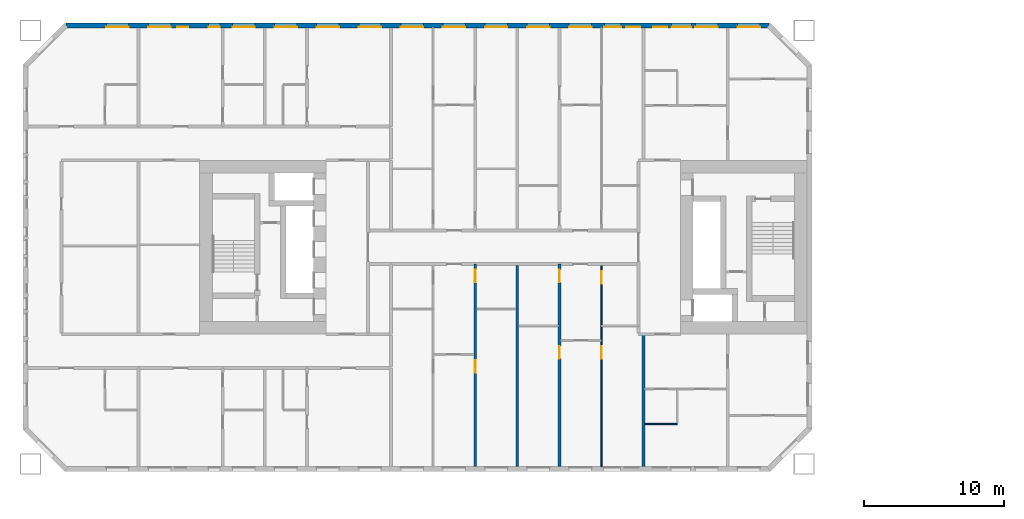
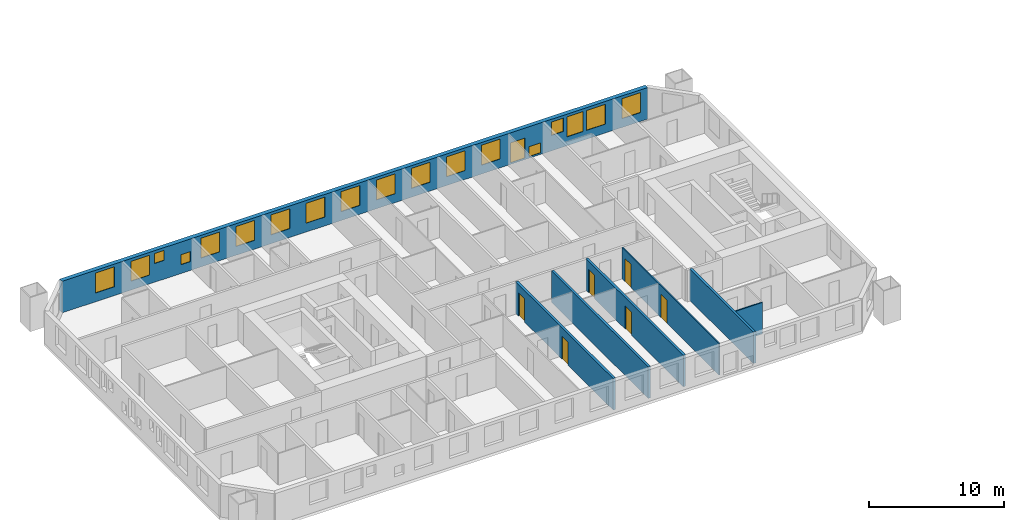
# One storey, part 6 of 17: 19 windows, 7 walls, 6 doors, 25 openings.
"""IFC4 building model written with IfcOpenShell, lengths in metres."""

from ifc_helpers import new_model, si_unit, direction, frame, frame_2d, origin, place, context, subcontext, project, spatial, rectangle, extrude, material, layer, layer_set, type_object, element, fill, save


model = new_model("IFC4")

# Units and contexts
model_context = context("Model", 3, precision=1e-05, world=origin(), true_north=direction((0.0, 1.0)))
body_context = subcontext(model_context, "Body", "Model", "MODEL_VIEW")
ifc_project = project(units=[si_unit("LENGTHUNIT", "METRE"), si_unit("AREAUNIT", "SQUARE_METRE"), si_unit("VOLUMEUNIT", "CUBIC_METRE"), si_unit("PLANEANGLEUNIT", "RADIAN"), si_unit("MASSUNIT", "GRAM", prefix="KILO")], contexts=[model_context])

# Site, building, storey
site_placement = place(None, origin())
site = spatial("IfcSite", under=ifc_project, at=site_placement, CompositionType="ELEMENT")
building_placement = place(site_placement, origin())
building = spatial("IfcBuilding", under=site, at=building_placement, Name="Tuart Gate Housing", CompositionType="ELEMENT")
storey_placement = place(building_placement, frame((0.0, 0.0, 25.699951171875)))
storey = spatial("IfcBuildingStorey", under=building, at=storey_placement, Name="L06", CompositionType="ELEMENT", Elevation=25.699951171875)

# Wall, openings, windows
ifc_material_1 = material(Name="Brick", Category="masonry")
ifc_layer_1 = layer(ifc_material_1, 0.360107421875)
ifc_layer_set_1 = layer_set([ifc_layer_1], Name="Brick pier and spandrel wall 360")
wall_type_1 = type_object("IfcWallType", Name="Brick pier and spandrel wall 360", PredefinedType="STANDARD", material=ifc_layer_set_1)
wall_1_placement = place(storey_placement, frame((72.92529296875, 85.820068359375, 0.0), z_axis=(0.0, 0.0, 1.0), x_axis=(-1.0, 0.0, 0.0)))
wall_1 = element("IfcWall", 1, at=wall_1_placement, inside=storey, type_object=wall_type_1, Name="External wall A-N L06", PredefinedType="STANDARD", context=body_context, shape_type="SweptSolid", body=[
    extrude(rectangle(XDim=50.100830078125, YDim=0.360107421875, at=frame_2d((25.05029296875, 0.0))), origin(), (0.0, 0.0, 1.0), 2.85009765625),
])
opening_1_placement = place(wall_1_placement, frame((0.62548828125, 0.0, 0.800048828125)))
opening_1 = element("IfcOpeningElement", 2, at=opening_1_placement, cuts=wall_1, Name="Opening W1", PredefinedType="OPENING", context=body_context, shape_type="SweptSolid", body=[
    extrude(rectangle(XDim=1.60009765625, YDim=1.800048828125, at=frame_2d((0.800048828125, 0.89990234375))), frame((0.0, 0.18994140625, 0.0), z_axis=(0.0, -1.0, 0.0), x_axis=(1.0, 0.0, 0.0)), (0.0, 0.0, 1.0), 0.380126953125),
])
opening_2_placement = place(wall_1_placement, frame((3.62548828125, 0.0, 0.800048828125)))
opening_2 = element("IfcOpeningElement", 3, at=opening_2_placement, cuts=wall_1, Name="Opening W1", PredefinedType="OPENING", context=body_context, shape_type="SweptSolid", body=[
    extrude(rectangle(XDim=1.60009765625, YDim=1.800048828125, at=frame_2d((0.800048828125, 0.89990234375))), frame((0.0, 0.18994140625, 0.0), z_axis=(0.0, -1.0, 0.0), x_axis=(1.0, 0.0, 0.0)), (0.0, 0.0, 1.0), 0.380126953125),
])
opening_3_placement = place(wall_1_placement, frame((5.525390625, 0.0, 0.800048828125)))
opening_3 = element("IfcOpeningElement", 4, at=opening_3_placement, cuts=wall_1, Name="Opening W1A", PredefinedType="OPENING", context=body_context, shape_type="SweptSolid", body=[
    extrude(rectangle(XDim=1.39990234375, YDim=1.800048828125, at=frame_2d((0.699951171875, 0.89990234375))), frame((0.0, 0.18994140625, 0.0), z_axis=(0.0, -1.0, 0.0), x_axis=(1.0, 0.0, 0.0)), (0.0, 0.0, 1.0), 0.380126953125),
])
opening_4_placement = place(wall_1_placement, frame((9.17529296875, 0.0, 0.14990234375)))
opening_4 = element("IfcOpeningElement", 5, at=opening_4_placement, cuts=wall_1, Name="Opening W1U", PredefinedType="OPENING", context=body_context, shape_type="SweptSolid", body=[
    extrude(rectangle(XDim=1.0, YDim=0.89990234375, at=frame_2d((0.5, 0.449951171875))), frame((0.0, 0.18994140625, 0.0), z_axis=(0.0, -1.0, 0.0), x_axis=(1.0, 0.0, 0.0)), (0.0, 0.0, 1.0), 0.380126953125),
])
opening_5_placement = place(wall_1_placement, frame((12.62548828125, 0.0, 0.800048828125)))
opening_5 = element("IfcOpeningElement", 6, at=opening_5_placement, cuts=wall_1, Name="Opening W1", PredefinedType="OPENING", context=body_context, shape_type="SweptSolid", body=[
    extrude(rectangle(XDim=1.60009765625, YDim=1.800048828125, at=frame_2d((0.800048828125, 0.89990234375))), frame((0.0, 0.18994140625, 0.0), z_axis=(0.0, -1.0, 0.0), x_axis=(1.0, 0.0, 0.0)), (0.0, 0.0, 1.0), 0.380126953125),
])
opening_6_placement = place(wall_1_placement, frame((15.62548828125, 0.0, 0.800048828125)))
opening_6 = element("IfcOpeningElement", 7, at=opening_6_placement, cuts=wall_1, Name="Opening W1", PredefinedType="OPENING", context=body_context, shape_type="SweptSolid", body=[
    extrude(rectangle(XDim=1.60009765625, YDim=1.800048828125, at=frame_2d((0.800048828125, 0.89990234375))), frame((0.0, 0.18994140625, 0.0), z_axis=(0.0, -1.0, 0.0), x_axis=(1.0, 0.0, 0.0)), (0.0, 0.0, 1.0), 0.380126953125),
])
opening_7_placement = place(wall_1_placement, frame((18.62548828125, 0.0, 0.800048828125)))
opening_7 = element("IfcOpeningElement", 8, at=opening_7_placement, cuts=wall_1, Name="Opening W1", PredefinedType="OPENING", context=body_context, shape_type="SweptSolid", body=[
    extrude(rectangle(XDim=1.60009765625, YDim=1.800048828125, at=frame_2d((0.800048828125, 0.89990234375))), frame((0.0, 0.18994140625, 0.0), z_axis=(0.0, -1.0, 0.0), x_axis=(1.0, 0.0, 0.0)), (0.0, 0.0, 1.0), 0.380126953125),
])
opening_8_placement = place(wall_1_placement, frame((21.62548828125, 0.0, 0.800048828125)))
opening_8 = element("IfcOpeningElement", 9, at=opening_8_placement, cuts=wall_1, Name="Opening W1", PredefinedType="OPENING", context=body_context, shape_type="SweptSolid", body=[
    extrude(rectangle(XDim=1.60009765625, YDim=1.800048828125, at=frame_2d((0.800048828125, 0.89990234375))), frame((0.0, 0.18994140625, 0.0), z_axis=(0.0, -1.0, 0.0), x_axis=(1.0, 0.0, 0.0)), (0.0, 0.0, 1.0), 0.380126953125),
])
opening_9_placement = place(wall_1_placement, frame((24.62548828125, 0.0, 0.800048828125)))
opening_9 = element("IfcOpeningElement", 10, at=opening_9_placement, cuts=wall_1, Name="Opening W1", PredefinedType="OPENING", context=body_context, shape_type="SweptSolid", body=[
    extrude(rectangle(XDim=1.60009765625, YDim=1.800048828125, at=frame_2d((0.800048828125, 0.89990234375))), frame((0.0, 0.18994140625, 0.0), z_axis=(0.0, -1.0, 0.0), x_axis=(1.0, 0.0, 0.0)), (0.0, 0.0, 1.0), 0.380126953125),
])
opening_10_placement = place(wall_1_placement, frame((27.62548828125, 0.0, 0.800048828125)))
opening_10 = element("IfcOpeningElement", 11, at=opening_10_placement, cuts=wall_1, Name="Opening W1", PredefinedType="OPENING", context=body_context, shape_type="SweptSolid", body=[
    extrude(rectangle(XDim=1.60009765625, YDim=1.800048828125, at=frame_2d((0.800048828125, 0.89990234375))), frame((0.0, 0.18994140625, 0.0), z_axis=(0.0, -1.0, 0.0), x_axis=(1.0, 0.0, 0.0)), (0.0, 0.0, 1.0), 0.380126953125),
])
opening_11_placement = place(wall_1_placement, frame((30.62548828125, 0.0, 0.800048828125)))
opening_11 = element("IfcOpeningElement", 12, at=opening_11_placement, cuts=wall_1, Name="Opening W1", PredefinedType="OPENING", context=body_context, shape_type="SweptSolid", body=[
    extrude(rectangle(XDim=1.60009765625, YDim=1.800048828125, at=frame_2d((0.800048828125, 0.89990234375))), frame((0.0, 0.18994140625, 0.0), z_axis=(0.0, -1.0, 0.0), x_axis=(1.0, 0.0, 0.0)), (0.0, 0.0, 1.0), 0.380126953125),
])
opening_12_placement = place(wall_1_placement, frame((33.62548828125, 0.0, 0.800048828125)))
opening_12 = element("IfcOpeningElement", 13, at=opening_12_placement, cuts=wall_1, Name="Opening W1", PredefinedType="OPENING", context=body_context, shape_type="SweptSolid", body=[
    extrude(rectangle(XDim=1.60009765625, YDim=1.800048828125, at=frame_2d((0.800048828125, 0.89990234375))), frame((0.0, 0.18994140625, 0.0), z_axis=(0.0, -1.0, 0.0), x_axis=(1.0, 0.0, 0.0)), (0.0, 0.0, 1.0), 0.380126953125),
])
opening_13_placement = place(wall_1_placement, frame((36.62548828125, 0.0, 0.800048828125)))
opening_13 = element("IfcOpeningElement", 14, at=opening_13_placement, cuts=wall_1, Name="Opening W1", PredefinedType="OPENING", context=body_context, shape_type="SweptSolid", body=[
    extrude(rectangle(XDim=1.60009765625, YDim=1.800048828125, at=frame_2d((0.800048828125, 0.89990234375))), frame((0.0, 0.18994140625, 0.0), z_axis=(0.0, -1.0, 0.0), x_axis=(1.0, 0.0, 0.0)), (0.0, 0.0, 1.0), 0.380126953125),
])
opening_14_placement = place(wall_1_placement, frame((39.12548828125, 0.0, 0.800048828125)))
opening_14 = element("IfcOpeningElement", 15, at=opening_14_placement, cuts=wall_1, Name="Opening W1V", PredefinedType="OPENING", context=body_context, shape_type="SweptSolid", body=[
    extrude(rectangle(XDim=0.800048828125, YDim=0.89990234375, at=frame_2d((0.39990234375, 0.449951171875))), frame((0.0, 0.18994140625, 0.0), z_axis=(0.0, -1.0, 0.0), x_axis=(1.0, 0.0, 0.0)), (0.0, 0.0, 1.0), 0.380126953125),
])
opening_15_placement = place(wall_1_placement, frame((42.62548828125, 0.0, 0.800048828125)))
opening_15 = element("IfcOpeningElement", 16, at=opening_15_placement, cuts=wall_1, Name="Opening W1", PredefinedType="OPENING", context=body_context, shape_type="SweptSolid", body=[
    extrude(rectangle(XDim=1.60009765625, YDim=1.800048828125, at=frame_2d((0.800048828125, 0.89990234375))), frame((0.0, 0.18994140625, 0.0), z_axis=(0.0, -1.0, 0.0), x_axis=(1.0, 0.0, 0.0)), (0.0, 0.0, 1.0), 0.380126953125),
])
opening_16_placement = place(wall_1_placement, frame((45.62548828125, 0.0, 0.800048828125)))
opening_16 = element("IfcOpeningElement", 17, at=opening_16_placement, cuts=wall_1, Name="Opening W1", PredefinedType="OPENING", context=body_context, shape_type="SweptSolid", body=[
    extrude(rectangle(XDim=1.60009765625, YDim=1.800048828125, at=frame_2d((0.800048828125, 0.89990234375))), frame((0.0, 0.18994140625, 0.0), z_axis=(0.0, -1.0, 0.0), x_axis=(1.0, 0.0, 0.0)), (0.0, 0.0, 1.0), 0.380126953125),
])
opening_17_placement = place(wall_1_placement, frame((7.225341796875, 0.0, 1.39990234375)))
opening_17 = element("IfcOpeningElement", 18, at=opening_17_placement, cuts=wall_1, Name="Opening W1O", PredefinedType="OPENING", context=body_context, shape_type="SweptSolid", body=[
    extrude(rectangle(XDim=1.0, YDim=1.199951171875, at=frame_2d((0.5, 0.60009765625))), frame((0.0, 0.18994140625, 0.0), z_axis=(0.0, -1.0, 0.0), x_axis=(1.0, 0.0, 0.0)), (0.0, 0.0, 1.0), 0.380126953125),
])
opening_18_placement = place(wall_1_placement, frame((10.525390625, 0.0, 0.14990234375)))
opening_18 = element("IfcOpeningElement", 19, at=opening_18_placement, cuts=wall_1, Name="Opening W1B", PredefinedType="OPENING", context=body_context, shape_type="SweptSolid", body=[
    extrude(rectangle(XDim=1.199951171875, YDim=1.800048828125, at=frame_2d((0.60009765625, 0.89990234375))), frame((0.0, 0.18994140625, 0.0), z_axis=(0.0, -1.0, 0.0), x_axis=(1.0, 0.0, 0.0)), (0.0, 0.0, 1.0), 0.380126953125),
])
opening_19_placement = place(wall_1_placement, frame((41.37548828125, 0.0, 1.699951171875)))
opening_19 = element("IfcOpeningElement", 20, at=opening_19_placement, cuts=wall_1, Name="Opening W1V", PredefinedType="OPENING", context=body_context, shape_type="SweptSolid", body=[
    extrude(rectangle(XDim=0.800048828125, YDim=0.89990234375, at=frame_2d((0.39990234375, 0.449951171875))), frame((0.0, 0.18994140625, 0.0), z_axis=(0.0, -1.0, 0.0), x_axis=(1.0, 0.0, 0.0)), (0.0, 0.0, 1.0), 0.380126953125),
])
ifc_material_2 = material(Name="Aluminium frame with clear glass", Category="aluminium")
window_type_1 = type_object("IfcWindowType", Name="Punched window 1000 x 1200", PartitioningType="SINGLE_PANEL", PredefinedType="WINDOW", material=ifc_material_2)
window_1_placement = place(opening_17_placement, origin())
window_1 = element("IfcWindow", 21, at=window_1_placement, inside=storey, type_object=window_type_1, Name="Window W1O", OverallHeight=1.199951171875, OverallWidth=1.0, PartitioningType="SINGLE_PANEL", PredefinedType="WINDOW", context=body_context, shape_type="SweptSolid", body=[
    extrude(rectangle(XDim=1.0, YDim=1.199951171875, at=frame_2d((0.5, 0.60009765625))), frame((0.0, 0.150146484375, 0.0), z_axis=(0.0, -1.0, 0.0), x_axis=(1.0, 0.0, 0.0)), (0.0, 0.0, 1.0), 0.06005859375),
])
fill(opening_17, window_1)
ifc_material_3 = material(Name="Aluminium frame with clear glass", Category="aluminium")
window_type_2 = type_object("IfcWindowType", Name="Punched window 1000 x 900", PartitioningType="SINGLE_PANEL", PredefinedType="WINDOW", material=ifc_material_3)
window_2_placement = place(opening_4_placement, origin())
window_2 = element("IfcWindow", 22, at=window_2_placement, inside=storey, type_object=window_type_2, Name="Window W1U", OverallHeight=0.89990234375, OverallWidth=1.0, PartitioningType="SINGLE_PANEL", PredefinedType="WINDOW", context=body_context, shape_type="SweptSolid", body=[
    extrude(rectangle(XDim=1.0, YDim=0.89990234375, at=frame_2d((0.5, 0.449951171875))), frame((0.0, 0.150146484375, 0.0), z_axis=(0.0, -1.0, 0.0), x_axis=(1.0, 0.0, 0.0)), (0.0, 0.0, 1.0), 0.06005859375),
])
fill(opening_4, window_2)
ifc_material_4 = material(Name="Aluminium frame with clear glass", Category="aluminium")
window_type_3 = type_object("IfcWindowType", Name="Punched window 1200 x 1800", PartitioningType="SINGLE_PANEL", PredefinedType="WINDOW", material=ifc_material_4)
window_3_placement = place(opening_18_placement, origin())
window_3 = element("IfcWindow", 23, at=window_3_placement, inside=storey, type_object=window_type_3, Name="Window W1B", OverallHeight=1.800048828125, OverallWidth=1.199951171875, PartitioningType="SINGLE_PANEL", PredefinedType="WINDOW", context=body_context, shape_type="SweptSolid", body=[
    extrude(rectangle(XDim=1.199951171875, YDim=1.800048828125, at=frame_2d((0.60009765625, 0.89990234375))), frame((0.0, 0.150146484375, 0.0), z_axis=(0.0, -1.0, 0.0), x_axis=(1.0, 0.0, 0.0)), (0.0, 0.0, 1.0), 0.06005859375),
])
fill(opening_18, window_3)
ifc_material_5 = material(Name="Aluminium frame with clear glass", Category="aluminium")
window_type_4 = type_object("IfcWindowType", Name="Punched window 1400 x 1800", PartitioningType="SINGLE_PANEL", PredefinedType="WINDOW", material=ifc_material_5)
window_4_placement = place(opening_3_placement, origin())
window_4 = element("IfcWindow", 24, at=window_4_placement, inside=storey, type_object=window_type_4, Name="Window W1A", OverallHeight=1.800048828125, OverallWidth=1.39990234375, PartitioningType="SINGLE_PANEL", PredefinedType="WINDOW", context=body_context, shape_type="SweptSolid", body=[
    extrude(rectangle(XDim=1.39990234375, YDim=1.800048828125, at=frame_2d((0.699951171875, 0.89990234375))), frame((0.0, 0.150146484375, 0.0), z_axis=(0.0, -1.0, 0.0), x_axis=(1.0, 0.0, 0.0)), (0.0, 0.0, 1.0), 0.06005859375),
])
fill(opening_3, window_4)
ifc_material_6 = material(Name="Aluminium frame with clear glass", Category="aluminium")
window_type_5 = type_object("IfcWindowType", Name="Punched window 1600 x 1800", PartitioningType="SINGLE_PANEL", PredefinedType="WINDOW", material=ifc_material_6)
window_5_placement = place(opening_1_placement, origin())
window_5 = element("IfcWindow", 25, at=window_5_placement, inside=storey, type_object=window_type_5, Name="Window W1", OverallHeight=1.800048828125, OverallWidth=1.60009765625, PartitioningType="SINGLE_PANEL", PredefinedType="WINDOW", context=body_context, shape_type="SweptSolid", body=[
    extrude(rectangle(XDim=1.60009765625, YDim=1.800048828125, at=frame_2d((0.800048828125, 0.89990234375))), frame((0.0, 0.150146484375, 0.0), z_axis=(0.0, -1.0, 0.0), x_axis=(1.0, 0.0, 0.0)), (0.0, 0.0, 1.0), 0.06005859375),
])
fill(opening_1, window_5)
window_6_placement = place(opening_2_placement, origin())
window_6 = element("IfcWindow", 26, at=window_6_placement, inside=storey, type_object=window_type_5, Name="Window W1", OverallHeight=1.800048828125, OverallWidth=1.60009765625, PartitioningType="SINGLE_PANEL", PredefinedType="WINDOW", context=body_context, shape_type="SweptSolid", body=[
    extrude(rectangle(XDim=1.60009765625, YDim=1.800048828125, at=frame_2d((0.800048828125, 0.89990234375))), frame((0.0, 0.150146484375, 0.0), z_axis=(0.0, -1.0, 0.0), x_axis=(1.0, 0.0, 0.0)), (0.0, 0.0, 1.0), 0.06005859375),
])
fill(opening_2, window_6)
window_7_placement = place(opening_5_placement, origin())
window_7 = element("IfcWindow", 27, at=window_7_placement, inside=storey, type_object=window_type_5, Name="Window W1", OverallHeight=1.800048828125, OverallWidth=1.60009765625, PartitioningType="SINGLE_PANEL", PredefinedType="WINDOW", context=body_context, shape_type="SweptSolid", body=[
    extrude(rectangle(XDim=1.60009765625, YDim=1.800048828125, at=frame_2d((0.800048828125, 0.89990234375))), frame((0.0, 0.150146484375, 0.0), z_axis=(0.0, -1.0, 0.0), x_axis=(1.0, 0.0, 0.0)), (0.0, 0.0, 1.0), 0.06005859375),
])
fill(opening_5, window_7)
window_8_placement = place(opening_6_placement, origin())
window_8 = element("IfcWindow", 28, at=window_8_placement, inside=storey, type_object=window_type_5, Name="Window W1", OverallHeight=1.800048828125, OverallWidth=1.60009765625, PartitioningType="SINGLE_PANEL", PredefinedType="WINDOW", context=body_context, shape_type="SweptSolid", body=[
    extrude(rectangle(XDim=1.60009765625, YDim=1.800048828125, at=frame_2d((0.800048828125, 0.89990234375))), frame((0.0, 0.150146484375, 0.0), z_axis=(0.0, -1.0, 0.0), x_axis=(1.0, 0.0, 0.0)), (0.0, 0.0, 1.0), 0.06005859375),
])
fill(opening_6, window_8)
window_9_placement = place(opening_7_placement, origin())
window_9 = element("IfcWindow", 29, at=window_9_placement, inside=storey, type_object=window_type_5, Name="Window W1", OverallHeight=1.800048828125, OverallWidth=1.60009765625, PartitioningType="SINGLE_PANEL", PredefinedType="WINDOW", context=body_context, shape_type="SweptSolid", body=[
    extrude(rectangle(XDim=1.60009765625, YDim=1.800048828125, at=frame_2d((0.800048828125, 0.89990234375))), frame((0.0, 0.150146484375, 0.0), z_axis=(0.0, -1.0, 0.0), x_axis=(1.0, 0.0, 0.0)), (0.0, 0.0, 1.0), 0.06005859375),
])
fill(opening_7, window_9)
window_10_placement = place(opening_8_placement, origin())
window_10 = element("IfcWindow", 30, at=window_10_placement, inside=storey, type_object=window_type_5, Name="Window W1", OverallHeight=1.800048828125, OverallWidth=1.60009765625, PartitioningType="SINGLE_PANEL", PredefinedType="WINDOW", context=body_context, shape_type="SweptSolid", body=[
    extrude(rectangle(XDim=1.60009765625, YDim=1.800048828125, at=frame_2d((0.800048828125, 0.89990234375))), frame((0.0, 0.150146484375, 0.0), z_axis=(0.0, -1.0, 0.0), x_axis=(1.0, 0.0, 0.0)), (0.0, 0.0, 1.0), 0.06005859375),
])
fill(opening_8, window_10)
window_11_placement = place(opening_9_placement, origin())
window_11 = element("IfcWindow", 31, at=window_11_placement, inside=storey, type_object=window_type_5, Name="Window W1", OverallHeight=1.800048828125, OverallWidth=1.60009765625, PartitioningType="SINGLE_PANEL", PredefinedType="WINDOW", context=body_context, shape_type="SweptSolid", body=[
    extrude(rectangle(XDim=1.60009765625, YDim=1.800048828125, at=frame_2d((0.800048828125, 0.89990234375))), frame((0.0, 0.150146484375, 0.0), z_axis=(0.0, -1.0, 0.0), x_axis=(1.0, 0.0, 0.0)), (0.0, 0.0, 1.0), 0.06005859375),
])
fill(opening_9, window_11)
window_12_placement = place(opening_10_placement, origin())
window_12 = element("IfcWindow", 32, at=window_12_placement, inside=storey, type_object=window_type_5, Name="Window W1", OverallHeight=1.800048828125, OverallWidth=1.60009765625, PartitioningType="SINGLE_PANEL", PredefinedType="WINDOW", context=body_context, shape_type="SweptSolid", body=[
    extrude(rectangle(XDim=1.60009765625, YDim=1.800048828125, at=frame_2d((0.800048828125, 0.89990234375))), frame((0.0, 0.150146484375, 0.0), z_axis=(0.0, -1.0, 0.0), x_axis=(1.0, 0.0, 0.0)), (0.0, 0.0, 1.0), 0.06005859375),
])
fill(opening_10, window_12)
window_13_placement = place(opening_11_placement, origin())
window_13 = element("IfcWindow", 33, at=window_13_placement, inside=storey, type_object=window_type_5, Name="Window W1", OverallHeight=1.800048828125, OverallWidth=1.60009765625, PartitioningType="SINGLE_PANEL", PredefinedType="WINDOW", context=body_context, shape_type="SweptSolid", body=[
    extrude(rectangle(XDim=1.60009765625, YDim=1.800048828125, at=frame_2d((0.800048828125, 0.89990234375))), frame((0.0, 0.150146484375, 0.0), z_axis=(0.0, -1.0, 0.0), x_axis=(1.0, 0.0, 0.0)), (0.0, 0.0, 1.0), 0.06005859375),
])
fill(opening_11, window_13)
window_14_placement = place(opening_12_placement, origin())
window_14 = element("IfcWindow", 34, at=window_14_placement, inside=storey, type_object=window_type_5, Name="Window W1", OverallHeight=1.800048828125, OverallWidth=1.60009765625, PartitioningType="SINGLE_PANEL", PredefinedType="WINDOW", context=body_context, shape_type="SweptSolid", body=[
    extrude(rectangle(XDim=1.60009765625, YDim=1.800048828125, at=frame_2d((0.800048828125, 0.89990234375))), frame((0.0, 0.150146484375, 0.0), z_axis=(0.0, -1.0, 0.0), x_axis=(1.0, 0.0, 0.0)), (0.0, 0.0, 1.0), 0.06005859375),
])
fill(opening_12, window_14)
window_15_placement = place(opening_13_placement, origin())
window_15 = element("IfcWindow", 35, at=window_15_placement, inside=storey, type_object=window_type_5, Name="Window W1", OverallHeight=1.800048828125, OverallWidth=1.60009765625, PartitioningType="SINGLE_PANEL", PredefinedType="WINDOW", context=body_context, shape_type="SweptSolid", body=[
    extrude(rectangle(XDim=1.60009765625, YDim=1.800048828125, at=frame_2d((0.800048828125, 0.89990234375))), frame((0.0, 0.150146484375, 0.0), z_axis=(0.0, -1.0, 0.0), x_axis=(1.0, 0.0, 0.0)), (0.0, 0.0, 1.0), 0.06005859375),
])
fill(opening_13, window_15)
window_16_placement = place(opening_15_placement, origin())
window_16 = element("IfcWindow", 36, at=window_16_placement, inside=storey, type_object=window_type_5, Name="Window W1", OverallHeight=1.800048828125, OverallWidth=1.60009765625, PartitioningType="SINGLE_PANEL", PredefinedType="WINDOW", context=body_context, shape_type="SweptSolid", body=[
    extrude(rectangle(XDim=1.60009765625, YDim=1.800048828125, at=frame_2d((0.800048828125, 0.89990234375))), frame((0.0, 0.150146484375, 0.0), z_axis=(0.0, -1.0, 0.0), x_axis=(1.0, 0.0, 0.0)), (0.0, 0.0, 1.0), 0.06005859375),
])
fill(opening_15, window_16)
window_17_placement = place(opening_16_placement, origin())
window_17 = element("IfcWindow", 37, at=window_17_placement, inside=storey, type_object=window_type_5, Name="Window W1", OverallHeight=1.800048828125, OverallWidth=1.60009765625, PartitioningType="SINGLE_PANEL", PredefinedType="WINDOW", context=body_context, shape_type="SweptSolid", body=[
    extrude(rectangle(XDim=1.60009765625, YDim=1.800048828125, at=frame_2d((0.800048828125, 0.89990234375))), frame((0.0, 0.150146484375, 0.0), z_axis=(0.0, -1.0, 0.0), x_axis=(1.0, 0.0, 0.0)), (0.0, 0.0, 1.0), 0.06005859375),
])
fill(opening_16, window_17)
ifc_material_7 = material(Name="Aluminium frame with clear glass", Category="aluminium")
window_type_6 = type_object("IfcWindowType", Name="Punched window 800 x 900", PartitioningType="SINGLE_PANEL", PredefinedType="WINDOW", material=ifc_material_7)
window_18_placement = place(opening_14_placement, origin())
window_18 = element("IfcWindow", 38, at=window_18_placement, inside=storey, type_object=window_type_6, Name="Window W1V", OverallHeight=0.89990234375, OverallWidth=0.800048828125, PartitioningType="SINGLE_PANEL", PredefinedType="WINDOW", context=body_context, shape_type="SweptSolid", body=[
    extrude(rectangle(XDim=0.800048828125, YDim=0.89990234375, at=frame_2d((0.39990234375, 0.449951171875))), frame((0.0, 0.150146484375, 0.0), z_axis=(0.0, -1.0, 0.0), x_axis=(1.0, 0.0, 0.0)), (0.0, 0.0, 1.0), 0.06005859375),
])
fill(opening_14, window_18)
window_19_placement = place(opening_19_placement, origin())
window_19 = element("IfcWindow", 39, at=window_19_placement, inside=storey, type_object=window_type_6, Name="Window W1V", OverallHeight=0.89990234375, OverallWidth=0.800048828125, PartitioningType="SINGLE_PANEL", PredefinedType="WINDOW", context=body_context, shape_type="SweptSolid", body=[
    extrude(rectangle(XDim=0.800048828125, YDim=0.89990234375, at=frame_2d((0.39990234375, 0.449951171875))), frame((0.0, 0.150146484375, 0.0), z_axis=(0.0, -1.0, 0.0), x_axis=(1.0, 0.0, 0.0)), (0.0, 0.0, 1.0), 0.06005859375),
])
fill(opening_19, window_19)

# Wall
ifc_material_8 = material(Name="Gypsum board on steel studs", Category="steel")
ifc_layer_2 = layer(ifc_material_8, 0.10009765625)
ifc_layer_set_2 = layer_set([ifc_layer_2], Name="Partition 100")
wall_type_2 = type_object("IfcWallType", Name="Partition 100", PredefinedType="PARTITIONING", material=ifc_layer_set_2)
wall_2_placement = place(storey_placement, frame((64.10009765625, 57.39990234375, 0.0), z_axis=(0.0, 0.0, 1.0), x_axis=(1.0, 0.0, 0.0)))
element("IfcWall", 40, at=wall_2_placement, inside=storey, type_object=wall_type_2, Name="Partition 100", PredefinedType="PARTITIONING", context=body_context, shape_type="SweptSolid", body=[
    extrude(rectangle(XDim=2.2998046875, YDim=0.10009765625, at=frame_2d((1.14990234375, 0.0))), origin(), (0.0, 0.0, 1.0), 2.85009765625),
])

# Wall, openings, doors
wall_3_placement = place(storey_placement, frame((61.0, 54.360107421875, 0.0), z_axis=(0.0, 0.0, 1.0), x_axis=(0.0, 1.0, 0.0)))
wall_3 = element("IfcWall", 41, at=wall_3_placement, inside=storey, type_object=wall_type_2, Name="Partition 100", PredefinedType="PARTITIONING", context=body_context, shape_type="SweptSolid", body=[
    extrude(rectangle(XDim=14.33984375, YDim=0.10009765625, at=frame_2d((7.169921875, 0.0))), origin(), (0.0, 0.0, 1.0), 2.85009765625),
])
opening_20_placement = place(wall_3_placement, frame((7.699951171875, 0.0, 0.0)))
opening_20 = element("IfcOpeningElement", 42, at=opening_20_placement, cuts=wall_3, Name="Opening D396", PredefinedType="OPENING", context=body_context, shape_type="SweptSolid", body=[
    extrude(rectangle(XDim=0.89990234375, YDim=2.10009765625, at=frame_2d((0.449951171875, 1.050048828125))), frame((0.0, 0.06005859375, 0.0), z_axis=(0.0, -1.0, 0.0), x_axis=(1.0, 0.0, 0.0)), (0.0, 0.0, 1.0), 0.1201171875),
])
opening_21_placement = place(wall_3_placement, frame((13.0400390625, 0.0, 0.0)))
opening_21 = element("IfcOpeningElement", 43, at=opening_21_placement, cuts=wall_3, Name="Opening D395", PredefinedType="OPENING", context=body_context, shape_type="SweptSolid", body=[
    extrude(rectangle(XDim=0.89990234375, YDim=2.10009765625, at=frame_2d((0.449951171875, 1.050048828125))), frame((0.0, 0.06005859375, 0.0), z_axis=(0.0, -1.0, 0.0), x_axis=(1.0, 0.0, 0.0)), (0.0, 0.0, 1.0), 0.1201171875),
])
ifc_material_9 = material(Name="Timber door leaf in steel frame", Category="steel")
door_type_1 = type_object("IfcDoorType", Name="Bathroom door 900", OperationType="SINGLE_SWING_LEFT", PredefinedType="DOOR", material=ifc_material_9)
door_1_placement = place(opening_21_placement, frame((0.89990234375, 0.0, 0.0), z_axis=(0.0, 0.0, 1.0), x_axis=(-1.0, 0.0, 0.0)))
door_1 = element("IfcDoor", 44, at=door_1_placement, inside=storey, type_object=door_type_1, Name="Bathroom door", OperationType="SINGLE_SWING_LEFT", OverallHeight=2.10009765625, OverallWidth=0.89990234375, PredefinedType="DOOR", context=body_context, shape_type="SweptSolid", body=[
    extrude(rectangle(XDim=0.89990234375, YDim=2.10009765625, at=frame_2d((0.449951171875, 1.050048828125))), frame((0.0, 0.025146484375, 0.0), z_axis=(0.0, -1.0, 0.0), x_axis=(1.0, 0.0, 0.0)), (0.0, 0.0, 1.0), 0.050048828125),
])
fill(opening_21, door_1)
ifc_material_10 = material(Name="Timber door leaf in steel frame", Category="steel")
door_type_2 = type_object("IfcDoorType", Name="Internal door 900", OperationType="SINGLE_SWING_LEFT", PredefinedType="DOOR", material=ifc_material_10)
door_2_placement = place(opening_20_placement, frame((0.89990234375, 0.0, 0.0), z_axis=(0.0, 0.0, 1.0), x_axis=(-1.0, 0.0, 0.0)))
door_2 = element("IfcDoor", 45, at=door_2_placement, inside=storey, type_object=door_type_2, Name="Internal door", OperationType="SINGLE_SWING_LEFT", OverallHeight=2.10009765625, OverallWidth=0.89990234375, PredefinedType="DOOR", context=body_context, shape_type="SweptSolid", body=[
    extrude(rectangle(XDim=0.89990234375, YDim=2.10009765625, at=frame_2d((0.449951171875, 1.050048828125))), frame((0.0, 0.025146484375, 0.0), z_axis=(0.0, -1.0, 0.0), x_axis=(1.0, 0.0, 0.0)), (0.0, 0.0, 1.0), 0.050048828125),
])
fill(opening_20, door_2)

ifc_material_11 = material(Name="Concrete C40", Category="concrete")
ifc_layer_3 = layer(ifc_material_11, 0.199951171875)
ifc_layer_set_3 = layer_set([ifc_layer_3], Name="Party wall concrete C40 200")
wall_type_3 = type_object("IfcWallType", Name="Party wall concrete C40 200", PredefinedType="SOLIDWALL", material=ifc_layer_set_3)
wall_4_placement = place(storey_placement, frame((52.0, 54.360107421875, 0.0), z_axis=(0.0, 0.0, 1.0), x_axis=(0.0, 1.0, 0.0)))
wall_4 = element("IfcWall", 46, at=wall_4_placement, inside=storey, type_object=wall_type_3, Name="Party wall concrete C40 200", PredefinedType="SOLIDWALL", context=body_context, shape_type="SweptSolid", body=[
    extrude(rectangle(XDim=14.43994140625, YDim=0.199951171875, at=frame_2d((7.219970703125, 0.0))), origin(), (0.0, 0.0, 1.0), 2.85009765625),
])
opening_22_placement = place(wall_4_placement, frame((6.699951171875, 0.0, 0.0)))
opening_22 = element("IfcOpeningElement", 47, at=opening_22_placement, cuts=wall_4, Name="Opening D390", PredefinedType="OPENING", context=body_context, shape_type="SweptSolid", body=[
    extrude(rectangle(XDim=0.89990234375, YDim=2.10009765625, at=frame_2d((0.449951171875, 1.050048828125))), frame((0.0, 0.10986328125, 0.0), z_axis=(0.0, -1.0, 0.0), x_axis=(1.0, 0.0, 0.0)), (0.0, 0.0, 1.0), 0.219970703125),
])
opening_23_placement = place(wall_4_placement, frame((13.139892578125, 0.0, 0.0)))
opening_23 = element("IfcOpeningElement", 48, at=opening_23_placement, cuts=wall_4, Name="Opening D389", PredefinedType="OPENING", context=body_context, shape_type="SweptSolid", body=[
    extrude(rectangle(XDim=0.89990234375, YDim=2.10009765625, at=frame_2d((0.449951171875, 1.050048828125))), frame((0.0, 0.10986328125, 0.0), z_axis=(0.0, -1.0, 0.0), x_axis=(1.0, 0.0, 0.0)), (0.0, 0.0, 1.0), 0.219970703125),
])
door_3_placement = place(opening_23_placement, frame((0.89990234375, 0.0, 0.0), z_axis=(0.0, 0.0, 1.0), x_axis=(-1.0, 0.0, 0.0)))
door_3 = element("IfcDoor", 49, at=door_3_placement, inside=storey, type_object=door_type_1, Name="Bathroom door", OperationType="SINGLE_SWING_LEFT", OverallHeight=2.10009765625, OverallWidth=0.89990234375, PredefinedType="DOOR", context=body_context, shape_type="SweptSolid", body=[
    extrude(rectangle(XDim=0.89990234375, YDim=2.10009765625, at=frame_2d((0.449951171875, 1.050048828125))), frame((0.0, 0.025146484375, 0.0), z_axis=(0.0, -1.0, 0.0), x_axis=(1.0, 0.0, 0.0)), (0.0, 0.0, 1.0), 0.050048828125),
])
fill(opening_23, door_3)
door_4_placement = place(opening_22_placement, frame((0.89990234375, 0.0, 0.0), z_axis=(0.0, 0.0, 1.0), x_axis=(-1.0, 0.0, 0.0)))
door_4 = element("IfcDoor", 50, at=door_4_placement, inside=storey, type_object=door_type_2, Name="Internal door", OperationType="SINGLE_SWING_LEFT", OverallHeight=2.10009765625, OverallWidth=0.89990234375, PredefinedType="DOOR", context=body_context, shape_type="SweptSolid", body=[
    extrude(rectangle(XDim=0.89990234375, YDim=2.10009765625, at=frame_2d((0.449951171875, 1.050048828125))), frame((0.0, 0.025146484375, 0.0), z_axis=(0.0, -1.0, 0.0), x_axis=(1.0, 0.0, 0.0)), (0.0, 0.0, 1.0), 0.050048828125),
])
fill(opening_22, door_4)

wall_5_placement = place(storey_placement, frame((58.0, 54.360107421875, 0.0), z_axis=(0.0, 0.0, 1.0), x_axis=(0.0, 1.0, 0.0)))
wall_5 = element("IfcWall", 51, at=wall_5_placement, inside=storey, type_object=wall_type_3, Name="Party wall concrete C40 200", PredefinedType="SOLIDWALL", context=body_context, shape_type="SweptSolid", body=[
    extrude(rectangle(XDim=14.43994140625, YDim=0.199951171875, at=frame_2d((7.219970703125, 0.0))), origin(), (0.0, 0.0, 1.0), 2.85009765625),
])
opening_24_placement = place(wall_5_placement, frame((7.699951171875, 0.0, 0.0)))
opening_24 = element("IfcOpeningElement", 52, at=opening_24_placement, cuts=wall_5, Name="Opening D392", PredefinedType="OPENING", context=body_context, shape_type="SweptSolid", body=[
    extrude(rectangle(XDim=0.89990234375, YDim=2.10009765625, at=frame_2d((0.449951171875, 1.050048828125))), frame((0.0, 0.10986328125, 0.0), z_axis=(0.0, -1.0, 0.0), x_axis=(1.0, 0.0, 0.0)), (0.0, 0.0, 1.0), 0.219970703125),
])
opening_25_placement = place(wall_5_placement, frame((13.139892578125, 0.0, 0.0)))
opening_25 = element("IfcOpeningElement", 53, at=opening_25_placement, cuts=wall_5, Name="Opening D391", PredefinedType="OPENING", context=body_context, shape_type="SweptSolid", body=[
    extrude(rectangle(XDim=0.89990234375, YDim=2.10009765625, at=frame_2d((0.449951171875, 1.050048828125))), frame((0.0, 0.10986328125, 0.0), z_axis=(0.0, -1.0, 0.0), x_axis=(1.0, 0.0, 0.0)), (0.0, 0.0, 1.0), 0.219970703125),
])
ifc_material_12 = material(Name="Timber door leaf in steel frame", Category="steel")
door_type_3 = type_object("IfcDoorType", Name="Bathroom door 900 RH", OperationType="SINGLE_SWING_RIGHT", PredefinedType="DOOR", material=ifc_material_12)
door_5_placement = place(opening_25_placement, origin())
door_5 = element("IfcDoor", 54, at=door_5_placement, inside=storey, type_object=door_type_3, Name="Bathroom door", OperationType="SINGLE_SWING_RIGHT", OverallHeight=2.10009765625, OverallWidth=0.89990234375, PredefinedType="DOOR", context=body_context, shape_type="SweptSolid", body=[
    extrude(rectangle(XDim=0.89990234375, YDim=2.10009765625, at=frame_2d((0.449951171875, 1.050048828125))), frame((0.0, 0.02490234375, 0.0), z_axis=(0.0, -1.0, 0.0), x_axis=(1.0, 0.0, 0.0)), (0.0, 0.0, 1.0), 0.050048828125),
])
fill(opening_25, door_5)
ifc_material_13 = material(Name="Timber door leaf in steel frame", Category="steel")
door_type_4 = type_object("IfcDoorType", Name="Internal door 900 RH", OperationType="SINGLE_SWING_RIGHT", PredefinedType="DOOR", material=ifc_material_13)
door_6_placement = place(opening_24_placement, origin())
door_6 = element("IfcDoor", 55, at=door_6_placement, inside=storey, type_object=door_type_4, Name="Internal door", OperationType="SINGLE_SWING_RIGHT", OverallHeight=2.10009765625, OverallWidth=0.89990234375, PredefinedType="DOOR", context=body_context, shape_type="SweptSolid", body=[
    extrude(rectangle(XDim=0.89990234375, YDim=2.10009765625, at=frame_2d((0.449951171875, 1.050048828125))), frame((0.0, 0.02490234375, 0.0), z_axis=(0.0, -1.0, 0.0), x_axis=(1.0, 0.0, 0.0)), (0.0, 0.0, 1.0), 0.050048828125),
])
fill(opening_24, door_6)

# Walls
wall_6_placement = place(storey_placement, frame((64.0, 54.360107421875, 0.0), z_axis=(0.0, 0.0, 1.0), x_axis=(0.0, 1.0, 0.0)))
element("IfcWall", 56, at=wall_6_placement, inside=storey, type_object=wall_type_3, Name="Party wall concrete C40 200", PredefinedType="SOLIDWALL", context=body_context, shape_type="SweptSolid", body=[
    extrude(rectangle(XDim=9.43994140625, YDim=0.199951171875, at=frame_2d((4.719970703125, 0.0))), origin(), (0.0, 0.0, 1.0), 2.85009765625),
])
ifc_material_14 = material(Name="Concrete masonry 15 MPa", Category="masonry")
ifc_layer_4 = layer(ifc_material_14, 0.199951171875)
ifc_layer_set_4 = layer_set([ifc_layer_4], Name="Party wall masonry 200")
wall_type_4 = type_object("IfcWallType", Name="Party wall masonry 200", PredefinedType="PARTITIONING", material=ifc_layer_set_4)
wall_7_placement = place(storey_placement, frame((55.0, 54.360107421875, 0.0), z_axis=(0.0, 0.0, 1.0), x_axis=(0.0, 1.0, 0.0)))
element("IfcWall", 57, at=wall_7_placement, inside=storey, type_object=wall_type_4, Name="Party wall masonry 200", PredefinedType="PARTITIONING", context=body_context, shape_type="SweptSolid", body=[
    extrude(rectangle(XDim=14.33984375, YDim=0.199951171875, at=frame_2d((7.169921875, 0.0))), origin(), (0.0, 0.0, 1.0), 2.85009765625),
])

save(model, "model.ifc")
